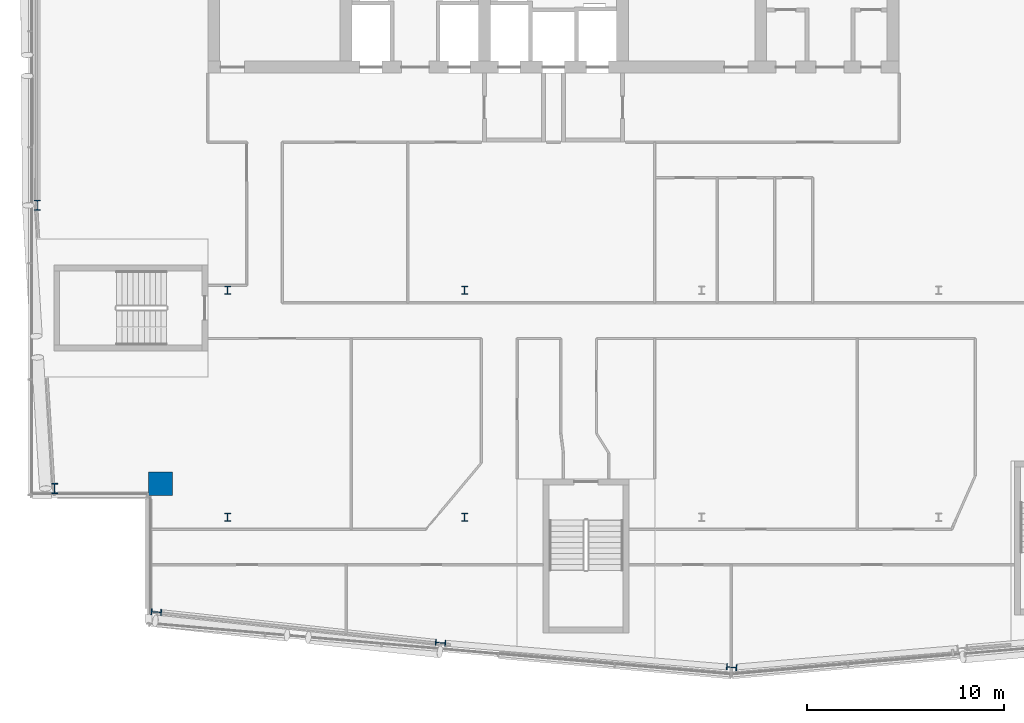
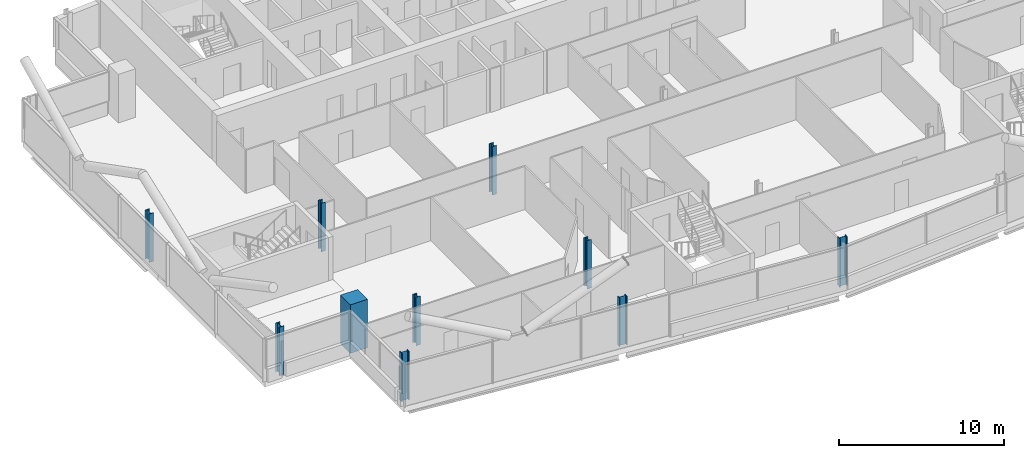
# One storey, part 1 of 27: 10 columns.
"""IFC4 building model written with IfcOpenShell, lengths in metres."""

import ifcopenshell
import ifcopenshell.guid

model = None  # the IFC model being written
_history = None  # IfcOwnerHistory: only IFC2X3 demands one
_inside = {}  # id of a spatial element -> (the spatial element, [elements in it])
_under = {}  # id of a project, library or spatial element -> (it, [spatial elements below it])
_declared = {}  # id of a project -> (the project, [libraries it declares])
_typed = {}  # id of a type object -> (the type object, [elements of that type])
_made_of = {}  # id of a material, layer set ... -> (it, [elements and type objects made of it])


def new_model(schema):
    """Start an empty IFC model of exactly this schema.

    Asked for "IFC4X3", IfcOpenShell would pick the latest addendum, in which some entities
    have other attributes; the version numbers below select the first issue.
    IFC2X3 requires an IfcOwnerHistory on every rooted entity: one is made here for all.
    """
    global model, _history
    if schema == "IFC4X3":
        model = ifcopenshell.file(schema_version=(4, 3, 0, 0))
    else:
        model = ifcopenshell.file(schema=schema)
    _inside.clear()
    _under.clear()
    _declared.clear()
    _typed.clear()
    _made_of.clear()
    _history = None
    if model.schema == "IFC2X3":
        org = make("IfcOrganization", Name="unknown")
        user = make(
            "IfcPersonAndOrganization",
            ThePerson=make("IfcPerson", FamilyName="unknown"),
            TheOrganization=org,
        )
        app = make(
            "IfcApplication",
            ApplicationDeveloper=org,
            Version="unknown",
            ApplicationFullName="unknown",
            ApplicationIdentifier="unknown",
        )
        _history = make(
            "IfcOwnerHistory",
            OwningUser=user,
            OwningApplication=app,
            ChangeAction="ADDED",
            CreationDate=0,
        )
    return model


def make(cls, **values):
    """One entity of the class cls with the attributes given. An attribute that is None is left unset."""
    return model.create_entity(
        cls, **{name: value for name, value in values.items() if value is not None}
    )


def rooted(cls, **values):
    """An entity with a GlobalId (a new one), such as an element, a storey or a relation."""
    return make(cls, GlobalId=ifcopenshell.guid.new(), OwnerHistory=_history, **values)


def si_unit(unit_type, name, prefix=None):
    """IfcSIUnit, for example si_unit("LENGTHUNIT", "METRE", prefix="MILLI")."""
    return make("IfcSIUnit", UnitType=unit_type, Prefix=prefix, Name=name)


def assignment(units):
    """IfcUnitAssignment: the units of a project."""
    return None if units is None else make("IfcUnitAssignment", Units=units)


def point(xyz):
    """IfcCartesianPoint."""
    return None if xyz is None else make("IfcCartesianPoint", Coordinates=xyz)


def direction(xyz):
    """IfcDirection."""
    return None if xyz is None else make("IfcDirection", DirectionRatios=xyz)


def frame(location, z_axis=None, x_axis=None):
    """IfcAxis2Placement3D, a coordinate frame: its origin and axes. An axis left out is left unset."""
    return make(
        "IfcAxis2Placement3D",
        Location=point(location),
        Axis=direction(z_axis),
        RefDirection=direction(x_axis),
    )


def frame_2d(location, x_axis=None):
    """IfcAxis2Placement2D, a coordinate frame in the plane: its origin and x axis."""
    return make(
        "IfcAxis2Placement2D", Location=point(location), RefDirection=direction(x_axis)
    )


def origin():
    """The frame at (0, 0, 0) with its axes left unset."""
    return frame((0.0, 0.0, 0.0))


def origin_2d():
    """The frame at (0, 0) in the plane with its x axis left unset."""
    return frame_2d((0.0, 0.0))


def place(relative_to, where):
    """IfcLocalPlacement: puts the frame where relative to a parent placement (None: the world)."""
    return make(
        "IfcLocalPlacement", PlacementRelTo=relative_to, RelativePlacement=where
    )


def context(
    kind, dimensions, precision=None, world=None, true_north=None, identifier=None
):
    """IfcGeometricRepresentationContext, for example the 3D "Model" context."""
    return make(
        "IfcGeometricRepresentationContext",
        ContextIdentifier=identifier,
        ContextType=kind,
        CoordinateSpaceDimension=dimensions,
        Precision=precision,
        WorldCoordinateSystem=world,
        TrueNorth=true_north,
    )


def subcontext(parent, identifier, kind, view, scale=None):
    """IfcGeometricRepresentationSubContext, for example "Body" below "Model"."""
    return make(
        "IfcGeometricRepresentationSubContext",
        ContextIdentifier=identifier,
        ContextType=kind,
        ParentContext=parent,
        TargetScale=scale,
        TargetView=view,
    )


def project(units=None, contexts=None):
    """IfcProject with its units and contexts."""
    return rooted(
        "IfcProject",
        Name="project",
        RepresentationContexts=contexts,
        UnitsInContext=assignment(units),
    )


def spatial(cls, under=None, at=None, **own):
    """A site, building, storey or space (cls), placed at a placement, below another one or the project."""
    s = rooted(cls, ObjectPlacement=at, **own)
    if under is not None:
        _under.setdefault(under.id(), (under, []))[1].append(s)
    return s


def profile(cls, at=None, kind="AREA", **sizes):
    """A parametric profile (cls). Its sizes go by their IFC names, for example OverallWidth=200.0."""
    return make(cls, ProfileType=kind, Position=at, **sizes)


def rectangle(**sizes):
    """IfcRectangleProfileDef."""
    return profile("IfcRectangleProfileDef", **sizes)


def i_section(**sizes):
    """IfcIShapeProfileDef."""
    return profile("IfcIShapeProfileDef", **sizes)


def extrude(swept, where, along, depth):
    """IfcExtrudedAreaSolid: the profile swept, set in the frame where, extruded along a direction by depth."""
    return make(
        "IfcExtrudedAreaSolid",
        SweptArea=swept,
        Position=where,
        ExtrudedDirection=direction(along),
        Depth=depth,
    )


def shape(context_of_items, identifier, shape_type, items):
    """IfcShapeRepresentation: the items that make up one representation, for example the "Body"."""
    return make(
        "IfcShapeRepresentation",
        ContextOfItems=context_of_items,
        RepresentationIdentifier=identifier,
        RepresentationType=shape_type,
        Items=items,
    )


def material(Name=None, Category=None):
    """IfcMaterial."""
    return make("IfcMaterial", Name=Name, Category=Category)


def material_profile(
    of_material, cross_section, Name=None, Category=None, Priority=None
):
    """IfcMaterialProfile: a cross section and its material."""
    return make(
        "IfcMaterialProfile",
        Name=Name,
        Material=of_material,
        Profile=cross_section,
        Priority=Priority,
        Category=Category,
    )


def profile_set(profiles, Name=None, composite=None):
    """IfcMaterialProfileSet."""
    return make(
        "IfcMaterialProfileSet",
        Name=Name,
        MaterialProfiles=profiles,
        CompositeProfile=composite,
    )


def made_of(thing, what):
    """Note that an element or type object is made of a material, layer set ...; save() writes the relation."""
    if what is not None:
        _made_of.setdefault(what.id(), (what, []))[1].append(thing)
    return thing


def type_object(cls, material=None, **own):
    """A type object (cls), such as IfcWallType, which elements share."""
    return made_of(rooted(cls, **own), material)


def element(
    cls,
    number,
    at=None,
    inside=None,
    cuts=None,
    type_object=None,
    material=None,
    context=None,
    identifier="Body",
    shape_type=None,
    held_by="IfcProductDefinitionShape",
    body=None,
    shapes=None,
    **own,
):
    """One element of the class cls, such as IfcWall. Its Tag is "e" and its number.

    at: its placement. inside: the storey or other place that contains it. cuts: it is an
    opening in that element (IfcRelVoidsElement). A single representation is given by context,
    identifier, shape_type and body (its items); several are given by shapes. held_by: the class
    of the entity that holds the representations. save() writes the other relations.
    """
    e = rooted(cls, Tag="e%d" % number, ObjectPlacement=at, **own)
    if body is not None:
        shapes = [shape(context, identifier, shape_type, body)]
    if shapes is not None:
        e.Representation = make(held_by, Representations=shapes)
    if inside is not None:
        _inside.setdefault(inside.id(), (inside, []))[1].append(e)
    if cuts is not None:
        rooted(
            "IfcRelVoidsElement", RelatingBuildingElement=cuts, RelatedOpeningElement=e
        )
    if type_object is not None:
        _typed.setdefault(type_object.id(), (type_object, []))[1].append(e)
    return made_of(e, material)


def aggregate(whole, parts):
    """IfcRelAggregates: a whole, such as a stair, and the parts it consists of."""
    return rooted("IfcRelAggregates", RelatingObject=whole, RelatedObjects=parts)


def save(model, path):
    """Write the relations noted so far, then the file.

    IfcRelAggregates (storeys below a building ...), IfcRelContainedInSpatialStructure (elements
    in a storey), IfcRelDefinesByType, IfcRelAssociatesMaterial and IfcRelDeclares: one each for
    every whole, place, type object, material and project.
    """
    for whole, parts in _under.values():
        aggregate(whole, parts)
    for where, things in _inside.values():
        rooted(
            "IfcRelContainedInSpatialStructure",
            RelatedElements=things,
            RelatingStructure=where,
        )
    for kind, things in _typed.values():
        rooted("IfcRelDefinesByType", RelatedObjects=things, RelatingType=kind)
    for what, things in _made_of.values():
        rooted("IfcRelAssociatesMaterial", RelatedObjects=things, RelatingMaterial=what)
    for by, libraries in _declared.values():
        rooted("IfcRelDeclares", RelatingContext=by, RelatedDefinitions=libraries)
    model.write(path)


model = new_model("IFC4")

# Units and contexts
model_context = context("Model", 3, precision=1e-05, world=origin(), true_north=direction((0.0, 1.0)))
body_context = subcontext(model_context, "Body", "Model", "MODEL_VIEW")
ifc_project = project(units=[si_unit("LENGTHUNIT", "METRE"), si_unit("AREAUNIT", "SQUARE_METRE"), si_unit("VOLUMEUNIT", "CUBIC_METRE"), si_unit("PLANEANGLEUNIT", "RADIAN"), si_unit("MASSUNIT", "GRAM", prefix="KILO")], contexts=[model_context])

# Site, building, storey
site_placement = place(None, origin())
site = spatial("IfcSite", under=ifc_project, at=site_placement, CompositionType="ELEMENT")
building_placement = place(site_placement, origin())
building = spatial("IfcBuilding", under=site, at=building_placement, Name="Wharfspan Tower", CompositionType="ELEMENT")
storey_placement = place(building_placement, frame((0.0, 0.0, 243.100098)))
storey = spatial("IfcBuildingStorey", under=building, at=storey_placement, Name="L61", CompositionType="ELEMENT", Elevation=243.100098)

# Columns
ifc_material_1 = material(Name="Steel S355J2", Category="steel")
ifc_material_profile_1 = material_profile(ifc_material_1, i_section(OverallWidth=0.300049, OverallDepth=0.399902, WebThickness=0.013428, FlangeThickness=0.023926, FilletRadius=0.0271, at=origin_2d()))
ifc_profile_set_1 = profile_set([ifc_material_profile_1], Name="Steel S355J2")
column_type_1 = type_object("IfcColumnType", Name="Column HEB 400", PredefinedType="COLUMN", material=ifc_profile_set_1)
for number, where, z_axis, x_axis, name in (
    (1, (24.0, 11.5, 0.0), (0.0, 0.0, 1.0), (1.0, 0.0, 0.0), "Interior column I.1.1 L61"),
    (2, (36.0, 11.5, 0.0), (0.0, 0.0, 1.0), (1.0, 0.0, 0.0), "Interior column I.1.2 L61"),
    (3, (24.0, 23.0, 0.0), (0.0, 0.0, 1.0), (1.0, 0.0, 0.0), "Interior column I.2.1 L61"),
    (4, (36.0, 23.0, 0.0), (0.0, 0.0, 1.0), (1.0, 0.0, 0.0), "Interior column I.2.2 L61"),
):
    element("IfcColumn", number, at=place(storey_placement, frame(where, z_axis=z_axis, x_axis=x_axis)), inside=storey, type_object=column_type_1, Name=name, PredefinedType="COLUMN", context=body_context, shape_type="SweptSolid", body=[
        extrude(i_section(OverallWidth=0.300049, OverallDepth=0.399902, WebThickness=0.013428, FlangeThickness=0.023926, FilletRadius=0.0271, at=origin_2d()), origin(), (0.0, 0.0, 1.0), 3.599854),
    ])
ifc_material_profile_2 = material_profile(ifc_material_1, i_section(OverallWidth=0.305908, OverallDepth=0.523926, WebThickness=0.020996, FlangeThickness=0.040039, FilletRadius=0.0271, at=origin_2d()))
ifc_profile_set_2 = profile_set([ifc_material_profile_2], Name="Steel S355J2")
column_type_2 = type_object("IfcColumnType", Name="Column HEM 500", PredefinedType="COLUMN", material=ifc_profile_set_2)
for number, where, z_axis, x_axis, name in (
    (5, (20.392334, 6.702637, 0.0), (0.0, 0.0, 1.0), (-0.087156, -0.996197, 0.0), "Perimeter column PS1.1 L61"),
    (6, (34.781494, 5.143311, 0.0), (0.0, 0.0, 1.0), (-0.087156, -0.996197, 0.0), "Perimeter column PS1.2 L61"),
    (7, (49.522949, 3.9021, 0.0), (0.0, 0.0, 1.0), (-0.087156, -0.996197, 0.0), "Perimeter column PS1.3 L61"),
    (8, (14.360107, 27.300049, 0.0), (0.0, 0.0, 1.0), (-1.0, 0.0, 0.0), "Perimeter column PW.1 L61"),
    (9, (15.237793, 12.963379, 0.0), (0.0, 0.0, 1.0), (-1.0, 0.0, 0.0), "Perimeter column PW.2 L61"),
):
    element("IfcColumn", number, at=place(storey_placement, frame(where, z_axis=z_axis, x_axis=x_axis)), inside=storey, type_object=column_type_2, Name=name, PredefinedType="COLUMN", context=body_context, shape_type="SweptSolid", body=[
        extrude(i_section(OverallWidth=0.305908, OverallDepth=0.523926, WebThickness=0.020996, FlangeThickness=0.040039, FilletRadius=0.0271, at=origin_2d()), origin(), (0.0, 0.0, 1.0), 3.599854),
    ])
ifc_material_2 = material(Name="Concrete C50/60", Category="concrete")
ifc_material_profile_3 = material_profile(ifc_material_2, rectangle(XDim=1.199951, YDim=1.199951, at=origin_2d()))
ifc_profile_set_3 = profile_set([ifc_material_profile_3], Name="Concrete C50/60")
column_type_3 = type_object("IfcColumnType", Name="Mega column 1200 C50/60", PredefinedType="COLUMN", material=ifc_profile_set_3)
column_placement = place(storey_placement, frame((20.600098, 13.199951, 0.0), z_axis=(0.0, 0.0, 1.0), x_axis=(1.0, 0.0, 0.0)))
element("IfcColumn", 10, at=column_placement, inside=storey, type_object=column_type_3, Name="Mega column MC1 L61", PredefinedType="COLUMN", context=body_context, shape_type="SweptSolid", body=[
    extrude(rectangle(XDim=1.199951, YDim=1.199951, at=origin_2d()), origin(), (0.0, 0.0, 1.0), 3.599854),
])

save(model, "model.ifc")
